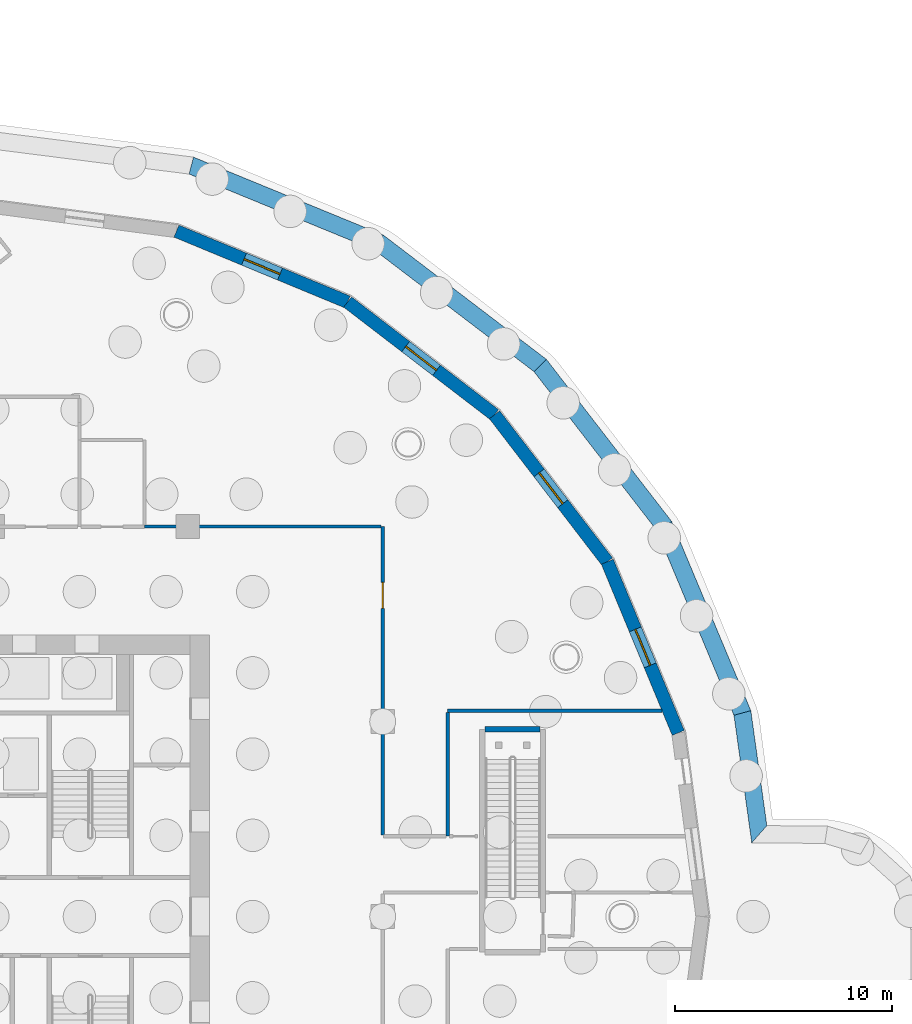
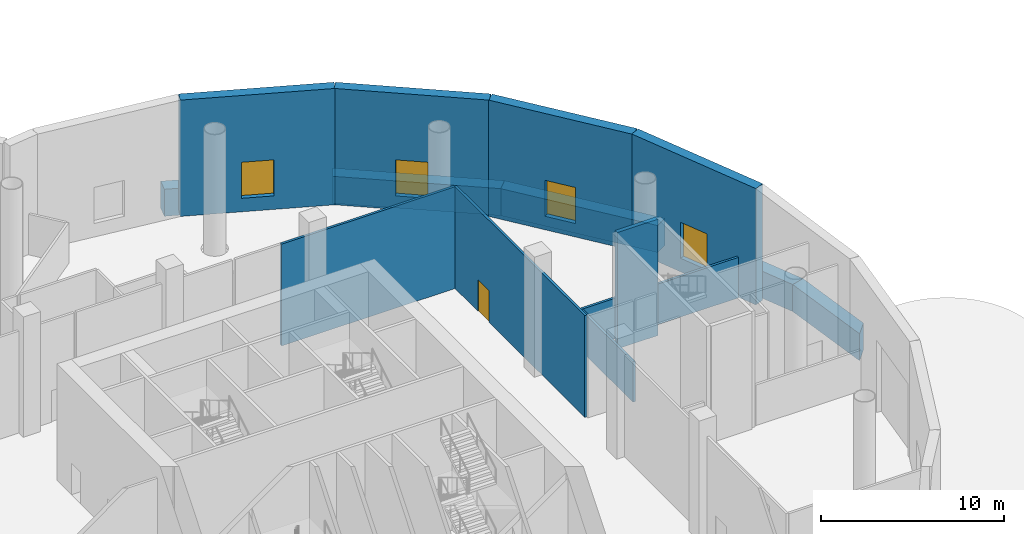
# One storey, part 19 of 34: 14 walls, 4 windows, 1 door, 5 openings.
"""IFC4 building model written with IfcOpenShell, lengths in metres."""

from ifc_helpers import new_model, si_unit, direction, frame, frame_2d, origin, place, context, subcontext, project, spatial, polyline, rectangle, outline, extrude, material, layer, layer_set, type_object, element, fill, save


model = new_model("IFC4")

# Units and contexts
model_context = context("Model", 3, precision=1e-05, world=origin(), true_north=direction((0.0, 1.0)))
body_context = subcontext(model_context, "Body", "Model", "MODEL_VIEW")
ifc_project = project(units=[si_unit("LENGTHUNIT", "METRE"), si_unit("AREAUNIT", "SQUARE_METRE"), si_unit("VOLUMEUNIT", "CUBIC_METRE"), si_unit("PLANEANGLEUNIT", "RADIAN"), si_unit("MASSUNIT", "GRAM", prefix="KILO")], contexts=[model_context])

# Site, building, storey
site_placement = place(None, origin())
site = spatial("IfcSite", under=ifc_project, at=site_placement, CompositionType="ELEMENT")
building_placement = place(site_placement, origin())
building = spatial("IfcBuilding", under=site, at=building_placement, Name="Tarsis Ring Headquarters", CompositionType="ELEMENT")
storey_placement = place(building_placement, origin())
storey = spatial("IfcBuildingStorey", under=building, at=storey_placement, Name="L00", CompositionType="ELEMENT", Elevation=0.0)

# Walls
ifc_material_1 = material(Name="Concrete C40/50", Category="concrete")
ifc_layer_1 = layer(ifc_material_1, 0.800048828125)
ifc_layer_set_1 = layer_set([ifc_layer_1], Name="FD Plinth wall 800")
wall_type_1 = type_object("IfcWallType", Name="FD Plinth wall 800", PredefinedType="SOLIDWALL", material=ifc_layer_set_1)
wall_1_placement = place(storey_placement, frame((0.0, 0.0, -2.0)))
element("IfcWall", 1, at=wall_1_placement, inside=storey, type_object=wall_type_1, Name="Plinth wall 10", PredefinedType="SOLIDWALL", context=body_context, shape_type="SweptSolid", body=[
    extrude(outline(polyline([(35.732666015625, 4.197265625), (34.99267578125, 9.5048828125), (34.214599609375, 9.2919921875), (35.035888671875, 3.402587890625), (35.732666015625, 4.197265625)])), origin(), (0.0, 0.0, 1.0), 1.800048828125),
])
wall_2_placement = place(storey_placement, frame((0.0, 0.0, -2.0)))
element("IfcWall", 2, at=wall_2_placement, inside=storey, type_object=wall_type_1, Name="Plinth wall 11", PredefinedType="SOLIDWALL", context=body_context, shape_type="SweptSolid", body=[
    extrude(outline(polyline([(34.99267578125, 9.5048828125), (31.3408203125, 18.2373046875), (30.643310546875, 17.831298828125), (34.214599609375, 9.2919921875), (34.99267578125, 9.5048828125)])), origin(), (0.0, 0.0, 1.0), 1.800048828125),
])
wall_3_placement = place(storey_placement, frame((0.0, 0.0, -2.0)))
element("IfcWall", 3, at=wall_3_placement, inside=storey, type_object=wall_type_1, Name="Plinth wall 12", PredefinedType="SOLIDWALL", context=body_context, shape_type="SweptSolid", body=[
    extrude(outline(polyline([(31.3408203125, 18.2373046875), (25.552734375, 25.727294921875), (24.984130859375, 25.15478515625), (30.643310546875, 17.831298828125), (31.3408203125, 18.2373046875)])), origin(), (0.0, 0.0, 1.0), 1.800048828125),
])
wall_4_placement = place(storey_placement, frame((0.0, 0.0, -2.0)))
element("IfcWall", 4, at=wall_4_placement, inside=storey, type_object=wall_type_1, Name="Plinth wall 13", PredefinedType="SOLIDWALL", context=body_context, shape_type="SweptSolid", body=[
    extrude(outline(polyline([(25.552734375, 25.727294921875), (18.0234375, 31.46435546875), (17.622314453125, 30.76416015625), (24.984130859375, 25.15478515625), (25.552734375, 25.727294921875)])), origin(), (0.0, 0.0, 1.0), 1.800048828125),
])
wall_5_placement = place(storey_placement, frame((0.0, 0.0, -2.0)))
element("IfcWall", 5, at=wall_5_placement, inside=storey, type_object=wall_type_1, Name="Plinth wall 14", PredefinedType="SOLIDWALL", context=body_context, shape_type="SweptSolid", body=[
    extrude(outline(polyline([(18.0234375, 31.46435546875), (9.265380859375, 35.05712890625), (9.0595703125, 34.276611328125), (17.622314453125, 30.76416015625), (18.0234375, 31.46435546875)])), origin(), (0.0, 0.0, 1.0), 1.800048828125),
])
ifc_material_2 = material(Name="Plasterboard partition")
ifc_layer_2 = layer(ifc_material_2, 0.14990234375)
ifc_layer_set_2 = layer_set([ifc_layer_2], Name="PO-PW150")
wall_type_2 = type_object("IfcWallType", Name="PO-PW150", PredefinedType="PARTITIONING", material=ifc_layer_set_2)
wall_6_placement = place(storey_placement, frame((30.893798828125, 9.5, 0.0), z_axis=(0.0, 0.0, 1.0), x_axis=(-1.0, 0.0, 0.0)))
element("IfcWall", 6, at=wall_6_placement, inside=storey, type_object=wall_type_2, Name="L00 partition wall 25", PredefinedType="PARTITIONING", context=body_context, shape_type="SweptSolid", body=[
    extrude(rectangle(XDim=9.893798828125, YDim=0.14990234375, at=frame_2d((4.94677734375, 0.0))), origin(), (0.0, 0.0, 1.0), 2.699951171875),
])
wall_7_placement = place(storey_placement, frame((21.0, 9.419921875, 0.0), z_axis=(0.0, 0.0, 1.0), x_axis=(0.0, -1.0, 0.0)))
element("IfcWall", 7, at=wall_7_placement, inside=storey, type_object=wall_type_2, Name="L00 partition wall 61", PredefinedType="PARTITIONING", context=body_context, shape_type="SweptSolid", body=[
    extrude(rectangle(XDim=5.7099609375, YDim=0.14990234375, at=frame_2d((2.85498046875, 0.0))), origin(), (0.0, 0.0, 1.0), 2.699951171875),
])

# Wall, opening, door
ifc_layer_3 = layer(ifc_material_2, 0.14990234375)
ifc_layer_set_3 = layer_set([ifc_layer_3], Name="PO-PW150R-6783")
wall_type_3 = type_object("IfcWallType", Name="PO-PW150R-6783", PredefinedType="PARTITIONING", material=ifc_layer_set_3)
wall_8_placement = place(storey_placement, frame((18.001953125, 18.0, 0.0), z_axis=(0.0, 0.0, 1.0), x_axis=(0.0, -1.0, 0.0)))
wall_8 = element("IfcWall", 8, at=wall_8_placement, inside=storey, type_object=wall_type_3, Name="L00 partition wall 7", PredefinedType="PARTITIONING", context=body_context, shape_type="SweptSolid", body=[
    extrude(rectangle(XDim=14.22998046875, YDim=0.14990234375, at=frame_2d((7.114990234375, 0.0))), origin(), (0.0, 0.0, 1.0), 6.782958984375),
])
opening_1_placement = place(wall_8_placement, frame((2.57080078125, 0.0, 0.0)))
opening_1 = element("IfcOpeningElement", 9, at=opening_1_placement, cuts=wall_8, Name="Opening PO-D2", PredefinedType="OPENING", context=body_context, shape_type="SweptSolid", body=[
    extrude(rectangle(XDim=1.199951171875, YDim=2.10009765625, at=frame_2d((0.60009765625, 1.050048828125))), frame((0.0, 0.0849609375, 0.0), z_axis=(0.0, -1.0, 0.0), x_axis=(1.0, 0.0, 0.0)), (0.0, 0.0, 1.0), 0.169921875),
])
ifc_material_3 = material(Name="Timber door", Category="wood")
door_type = type_object("IfcDoorType", Name="PO-D1200", OperationType="NOTDEFINED", PredefinedType="DOOR", material=ifc_material_3)
door_placement = place(opening_1_placement, origin())
door = element("IfcDoor", 10, at=door_placement, inside=storey, type_object=door_type, Name="Cafe door", OperationType="SINGLE_SWING_LEFT", OverallHeight=2.10009765625, OverallWidth=1.199951171875, PredefinedType="DOOR", context=body_context, shape_type="SweptSolid", body=[
    extrude(rectangle(XDim=1.199951171875, YDim=2.10009765625, at=frame_2d((0.60009765625, 1.050048828125))), frame((0.0, 0.02490234375, 0.0), z_axis=(0.0, -1.0, 0.0), x_axis=(1.0, 0.0, 0.0)), (0.0, 0.0, 1.0), 0.050048828125),
])
fill(opening_1, door)

# Walls
wall_9_placement = place(storey_placement, frame((7.001953125, 18.001953125, 0.0), z_axis=(0.0, 0.0, 1.0), x_axis=(1.0, 0.0, 0.0)))
element("IfcWall", 11, at=wall_9_placement, inside=storey, type_object=wall_type_3, Name="L00 partition wall 13", PredefinedType="PARTITIONING", context=body_context, shape_type="SweptSolid", body=[
    extrude(rectangle(XDim=10.91796875, YDim=0.14990234375, at=frame_2d((5.458984375, 0.0))), origin(), (0.0, 0.0, 1.0), 6.782958984375),
])
ifc_layer_4 = layer(ifc_material_1, 0.25)
ifc_layer_set_4 = layer_set([ifc_layer_4], Name="PO-W250")
wall_type_4 = type_object("IfcWallType", Name="PO-W250", PredefinedType="SOLIDWALL", material=ifc_layer_set_4)
wall_10_placement = place(storey_placement, frame((22.72998046875, 8.64501953125, 0.0), z_axis=(0.0, 0.0, 1.0), x_axis=(1.0, 0.0, 0.0)))
element("IfcWall", 12, at=wall_10_placement, inside=storey, type_object=wall_type_4, Name="L00 shaft wall 81", PredefinedType="SOLIDWALL", context=body_context, shape_type="SweptSolid", body=[
    extrude(rectangle(XDim=2.5400390625, YDim=0.25, at=frame_2d((1.27001953125, 0.0))), origin(), (0.0, 0.0, 1.0), 7.75),
])

# Wall, opening, window
ifc_material_4 = material(Name="Concrete C60/75", Category="concrete")
ifc_layer_5 = layer(ifc_material_4, 0.60009765625)
ifc_layer_set_5 = layer_set([ifc_layer_5], Name="PO-W600")
wall_type_5 = type_object("IfcWallType", Name="PO-W600", PredefinedType="SOLIDWALL", material=ifc_layer_set_5)
wall_11_placement = place(storey_placement, frame((31.6416015625, 8.478271484375, 0.0), z_axis=(0.0, 0.0, 1.0), x_axis=(-0.382674535665, 0.923883217595, 0.0)))
wall_11 = element("IfcWall", 13, at=wall_11_placement, inside=storey, type_object=wall_type_5, Name="L00 external wall 17", PredefinedType="SOLIDWALL", context=body_context, shape_type="SweptSolid", body=[
    extrude(rectangle(XDim=8.551513671875, YDim=0.60009765625, at=frame_2d((4.27587890625, 0.0))), origin(), (0.0, 0.0, 1.0), 7.75),
])
opening_2_placement = place(wall_11_placement, frame((3.375732421875, 0.0, 0.89990234375)))
opening_2 = element("IfcOpeningElement", 14, at=opening_2_placement, cuts=wall_11, Name="Opening PO-WN1", PredefinedType="OPENING", context=body_context, shape_type="SweptSolid", body=[
    extrude(rectangle(XDim=1.800048828125, YDim=2.39990234375, at=frame_2d((0.89990234375, 1.199951171875))), frame((0.0, 0.31005859375, 0.0), z_axis=(0.0, -1.0, 0.0), x_axis=(1.0, 0.0, 0.0)), (0.0, 0.0, 1.0), 0.6201171875),
])
ifc_material_5 = material(Name="Double glazing", Category="glass")
window_type = type_object("IfcWindowType", Name="PO-WN1800", PartitioningType="SINGLE_PANEL", PredefinedType="WINDOW", material=ifc_material_5)
window_1_placement = place(opening_2_placement, origin())
window_1 = element("IfcWindow", 15, at=window_1_placement, inside=storey, type_object=window_type, Name="L00 window 17.1", OverallHeight=2.39990234375, OverallWidth=1.800048828125, PartitioningType="SINGLE_PANEL", PredefinedType="WINDOW", context=body_context, shape_type="SweptSolid", body=[
    extrude(rectangle(XDim=1.800048828125, YDim=2.39990234375, at=frame_2d((0.89990234375, 1.199951171875))), frame((0.0, 0.030029296875, 0.0), z_axis=(0.0, -1.0, 0.0), x_axis=(1.0, 0.0, 0.0)), (0.0, 0.0, 1.0), 0.06005859375),
])
fill(opening_2, window_1)

wall_12_placement = place(storey_placement, frame((28.369140625, 16.37890625, 0.0), z_axis=(0.0, 0.0, 1.0), x_axis=(-0.608756942646, 0.793356782778, 0.0)))
wall_12 = element("IfcWall", 16, at=wall_12_placement, inside=storey, type_object=wall_type_5, Name="L00 external wall 18", PredefinedType="SOLIDWALL", context=body_context, shape_type="SweptSolid", body=[
    extrude(rectangle(XDim=8.551513671875, YDim=0.60009765625, at=frame_2d((4.27587890625, 0.0))), origin(), (0.0, 0.0, 1.0), 7.75),
])
opening_3_placement = place(wall_12_placement, frame((3.375732421875, 0.0, 0.89990234375)))
opening_3 = element("IfcOpeningElement", 17, at=opening_3_placement, cuts=wall_12, Name="Opening PO-WN1", PredefinedType="OPENING", context=body_context, shape_type="SweptSolid", body=[
    extrude(rectangle(XDim=1.800048828125, YDim=2.39990234375, at=frame_2d((0.89990234375, 1.199951171875))), frame((0.0, 0.31005859375, 0.0), z_axis=(0.0, -1.0, 0.0), x_axis=(1.0, 0.0, 0.0)), (0.0, 0.0, 1.0), 0.6201171875),
])
window_2_placement = place(opening_3_placement, origin())
window_2 = element("IfcWindow", 18, at=window_2_placement, inside=storey, type_object=window_type, Name="L00 window 18.1", OverallHeight=2.39990234375, OverallWidth=1.800048828125, PartitioningType="SINGLE_PANEL", PredefinedType="WINDOW", context=body_context, shape_type="SweptSolid", body=[
    extrude(rectangle(XDim=1.800048828125, YDim=2.39990234375, at=frame_2d((0.89990234375, 1.199951171875))), frame((0.0, 0.030029296875, 0.0), z_axis=(0.0, -1.0, 0.0), x_axis=(1.0, 0.0, 0.0)), (0.0, 0.0, 1.0), 0.06005859375),
])
fill(opening_3, window_2)

wall_13_placement = place(storey_placement, frame((23.163330078125, 23.163330078125, 0.0), z_axis=(0.0, 0.0, 1.0), x_axis=(-0.793356782778, 0.608756942646, 0.0)))
wall_13 = element("IfcWall", 19, at=wall_13_placement, inside=storey, type_object=wall_type_5, Name="L00 external wall 19", PredefinedType="SOLIDWALL", context=body_context, shape_type="SweptSolid", body=[
    extrude(rectangle(XDim=8.551513671875, YDim=0.60009765625, at=frame_2d((4.27587890625, 0.0))), origin(), (0.0, 0.0, 1.0), 7.75),
])
opening_4_placement = place(wall_13_placement, frame((3.375732421875, 0.0, 0.89990234375)))
opening_4 = element("IfcOpeningElement", 20, at=opening_4_placement, cuts=wall_13, Name="Opening PO-WN1", PredefinedType="OPENING", context=body_context, shape_type="SweptSolid", body=[
    extrude(rectangle(XDim=1.800048828125, YDim=2.39990234375, at=frame_2d((0.89990234375, 1.199951171875))), frame((0.0, 0.31005859375, 0.0), z_axis=(0.0, -1.0, 0.0), x_axis=(1.0, 0.0, 0.0)), (0.0, 0.0, 1.0), 0.6201171875),
])
window_3_placement = place(opening_4_placement, origin())
window_3 = element("IfcWindow", 21, at=window_3_placement, inside=storey, type_object=window_type, Name="L00 window 19.1", OverallHeight=2.39990234375, OverallWidth=1.800048828125, PartitioningType="SINGLE_PANEL", PredefinedType="WINDOW", context=body_context, shape_type="SweptSolid", body=[
    extrude(rectangle(XDim=1.800048828125, YDim=2.39990234375, at=frame_2d((0.89990234375, 1.199951171875))), frame((0.0, 0.030029296875, 0.0), z_axis=(0.0, -1.0, 0.0), x_axis=(1.0, 0.0, 0.0)), (0.0, 0.0, 1.0), 0.06005859375),
])
fill(opening_4, window_3)

wall_14_placement = place(storey_placement, frame((16.37890625, 28.369140625, 0.0), z_axis=(0.0, 0.0, 1.0), x_axis=(-0.923883217595, 0.382674535665, 0.0)))
wall_14 = element("IfcWall", 22, at=wall_14_placement, inside=storey, type_object=wall_type_5, Name="L00 external wall 20", PredefinedType="SOLIDWALL", context=body_context, shape_type="SweptSolid", body=[
    extrude(rectangle(XDim=8.551513671875, YDim=0.60009765625, at=frame_2d((4.27587890625, 0.0))), origin(), (0.0, 0.0, 1.0), 7.75),
])
opening_5_placement = place(wall_14_placement, frame((3.375732421875, 0.0, 0.89990234375)))
opening_5 = element("IfcOpeningElement", 23, at=opening_5_placement, cuts=wall_14, Name="Opening PO-WN1", PredefinedType="OPENING", context=body_context, shape_type="SweptSolid", body=[
    extrude(rectangle(XDim=1.800048828125, YDim=2.39990234375, at=frame_2d((0.89990234375, 1.199951171875))), frame((0.0, 0.31005859375, 0.0), z_axis=(0.0, -1.0, 0.0), x_axis=(1.0, 0.0, 0.0)), (0.0, 0.0, 1.0), 0.6201171875),
])
window_4_placement = place(opening_5_placement, origin())
window_4 = element("IfcWindow", 24, at=window_4_placement, inside=storey, type_object=window_type, Name="L00 window 20.1", OverallHeight=2.39990234375, OverallWidth=1.800048828125, PartitioningType="SINGLE_PANEL", PredefinedType="WINDOW", context=body_context, shape_type="SweptSolid", body=[
    extrude(rectangle(XDim=1.800048828125, YDim=2.39990234375, at=frame_2d((0.89990234375, 1.199951171875))), frame((0.0, 0.030029296875, 0.0), z_axis=(0.0, -1.0, 0.0), x_axis=(1.0, 0.0, 0.0)), (0.0, 0.0, 1.0), 0.06005859375),
])
fill(opening_5, window_4)

save(model, "model.ifc")
